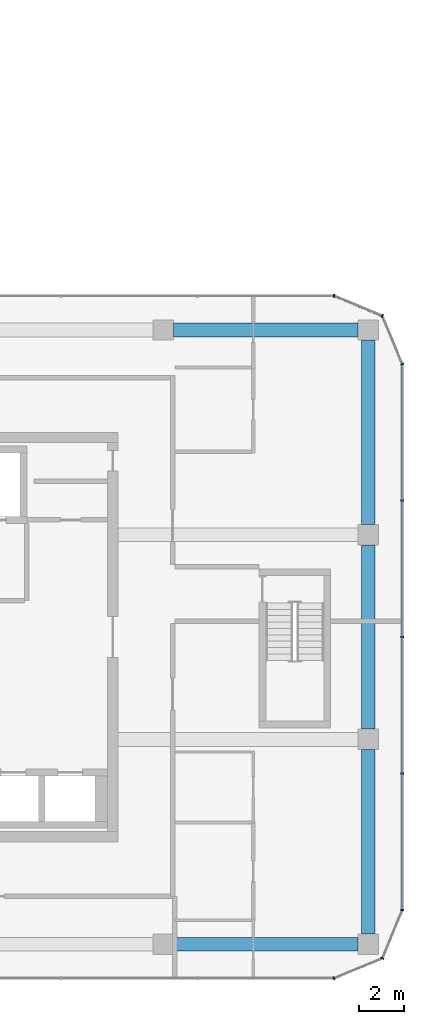
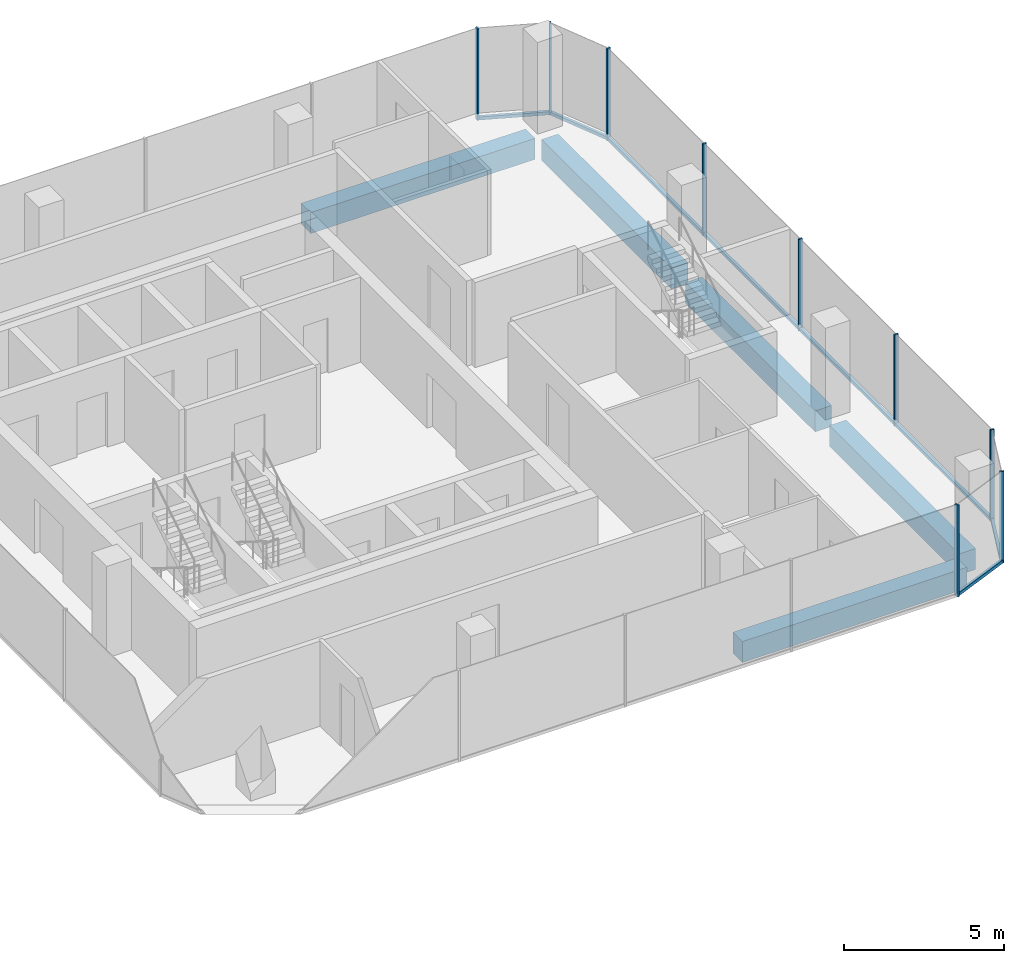
# One storey, part 10 of 23: 14 members, 5 beams, 6 elements without a shape of their own.
"""IFC4 building model written with IfcOpenShell, lengths in metres."""

from ifc_helpers import new_model, si_unit, direction, frame, origin, origin_2d, place, context, subcontext, project, spatial, rectangle, extrude, material, layer, layer_set, material_profile, profile_set, type_object, element, aggregate, save


model = new_model("IFC4")

# Units and contexts
model_context = context("Model", 3, precision=1e-05, world=origin(), true_north=direction((0.0, 1.0)))
body_context = subcontext(model_context, "Body", "Model", "MODEL_VIEW")
ifc_project = project(units=[si_unit("LENGTHUNIT", "METRE"), si_unit("AREAUNIT", "SQUARE_METRE"), si_unit("VOLUMEUNIT", "CUBIC_METRE"), si_unit("PLANEANGLEUNIT", "RADIAN"), si_unit("MASSUNIT", "GRAM", prefix="KILO")], contexts=[model_context])

# Site, building, storey
site_placement = place(None, origin())
site = spatial("IfcSite", under=ifc_project, at=site_placement, CompositionType="ELEMENT")
building_placement = place(site_placement, origin())
building = spatial("IfcBuilding", under=site, at=building_placement, Name="Plateau Cross Towers", CompositionType="ELEMENT")
storey_placement = place(building_placement, frame((0.0, 0.0, 85.300048828125)))
storey = spatial("IfcBuildingStorey", under=building, at=storey_placement, Name="L21", CompositionType="ELEMENT", Elevation=85.300048828125)

# Curtain wall, member
ifc_material_1 = material(Name="Dark low-iron glass", Category="glass")
ifc_layer = layer(ifc_material_1, 0.239990234375)
ifc_layer_set = layer_set([ifc_layer], Name="Dark low-iron glass")
curtain_wall_type = type_object("IfcCurtainWallType", Name="Curtain wall office unitised CW-F", PredefinedType="NOTDEFINED", material=ifc_layer_set)
curtain_wall_1_placement = place(storey_placement, origin())
curtain_wall_1 = element("IfcCurtainWall", 1, at=curtain_wall_1_placement, inside=storey, type_object=curtain_wall_type, Name="ENV/B/L21/B990_-60", PredefinedType="NOTDEFINED")
ifc_material_2 = material(Name="Black anodised aluminium", Category="aluminium")
ifc_material_profile_1 = material_profile(ifc_material_2, rectangle(XDim=0.06005859375, YDim=0.139892578125, at=origin_2d()), Name="MULLION 60x140")
ifc_profile_set_1 = profile_set([ifc_material_profile_1], Name="Black anodised aluminium")
member_type_1 = type_object("IfcMemberType", Name="Mullion 60x140 office unitised", PredefinedType="MULLION", material=ifc_profile_set_1)
member_1_placement = place(storey_placement, frame((99.0, -6.0, -0.25), z_axis=(0.0, 0.0, 1.0), x_axis=(0.923879457699, 0.382683612978, 0.0)))
member_1 = element("IfcMember", 2, at=member_1_placement, type_object=member_type_1, Name="CW-F mullion 1", PredefinedType="MULLION", context=body_context, shape_type="SweptSolid", body=[
    extrude(rectangle(XDim=0.06005859375, YDim=0.139892578125, at=origin_2d()), origin(), (0.0, 0.0, 1.0), 3.5),
])

curtain_wall_2_placement = place(storey_placement, origin())
curtain_wall_2 = element("IfcCurtainWall", 3, at=curtain_wall_2_placement, inside=storey, type_object=curtain_wall_type, Name="ENV/B/L21/B1011_-51", PredefinedType="NOTDEFINED")
member_2_placement = place(storey_placement, frame((101.121337890625, -5.121337890625, -0.25), z_axis=(0.0, 0.0, 1.0), x_axis=(0.382683612978, 0.923879457699, 0.0)))
member_2 = element("IfcMember", 4, at=member_2_placement, type_object=member_type_1, Name="CW-F mullion 1", PredefinedType="MULLION", context=body_context, shape_type="SweptSolid", body=[
    extrude(rectangle(XDim=0.06005859375, YDim=0.139892578125, at=origin_2d()), origin(), (0.0, 0.0, 1.0), 3.5),
])

# Curtain wall, members
curtain_wall_3_placement = place(storey_placement, origin())
curtain_wall_3 = element("IfcCurtainWall", 5, at=curtain_wall_3_placement, inside=storey, type_object=curtain_wall_type, Name="ENV/B/L21/B1020_-30", PredefinedType="NOTDEFINED")
member_3_placement = place(storey_placement, frame((102.0, -3.0, -0.25), z_axis=(0.0, 0.0, 1.0), x_axis=(0.0, 1.0, 0.0)))
member_3 = element("IfcMember", 6, at=member_3_placement, type_object=member_type_1, Name="CW-F mullion 1", PredefinedType="MULLION", context=body_context, shape_type="SweptSolid", body=[
    extrude(rectangle(XDim=0.06005859375, YDim=0.139892578125, at=origin_2d()), origin(), (0.0, 0.0, 1.0), 3.5),
])
member_4_placement = place(storey_placement, frame((102.0, 3.0, -0.25), z_axis=(0.0, 0.0, 1.0), x_axis=(0.0, 1.0, 0.0)))
member_4 = element("IfcMember", 7, at=member_4_placement, type_object=member_type_1, Name="CW-F mullion 2", PredefinedType="MULLION", context=body_context, shape_type="SweptSolid", body=[
    extrude(rectangle(XDim=0.06005859375, YDim=0.139892578125, at=origin_2d()), origin(), (0.0, 0.0, 1.0), 3.5),
])
member_5_placement = place(storey_placement, frame((102.0, 9.0, -0.25), z_axis=(0.0, 0.0, 1.0), x_axis=(0.0, 1.0, 0.0)))
member_5 = element("IfcMember", 8, at=member_5_placement, type_object=member_type_1, Name="CW-F mullion 3", PredefinedType="MULLION", context=body_context, shape_type="SweptSolid", body=[
    extrude(rectangle(XDim=0.06005859375, YDim=0.139892578125, at=origin_2d()), origin(), (0.0, 0.0, 1.0), 3.5),
])
member_6_placement = place(storey_placement, frame((102.0, 15.0, -0.25), z_axis=(0.0, 0.0, 1.0), x_axis=(0.0, 1.0, 0.0)))
member_6 = element("IfcMember", 9, at=member_6_placement, type_object=member_type_1, Name="CW-F mullion 4", PredefinedType="MULLION", context=body_context, shape_type="SweptSolid", body=[
    extrude(rectangle(XDim=0.06005859375, YDim=0.139892578125, at=origin_2d()), origin(), (0.0, 0.0, 1.0), 3.5),
])

# Curtain wall, member
curtain_wall_4_placement = place(storey_placement, origin())
curtain_wall_4 = element("IfcCurtainWall", 10, at=curtain_wall_4_placement, inside=storey, type_object=curtain_wall_type, Name="ENV/B/L21/B1020_210", PredefinedType="NOTDEFINED")
member_7_placement = place(storey_placement, frame((102.0, 21.0, -0.25), z_axis=(0.0, 0.0, 1.0), x_axis=(-0.382683612978, 0.923879457699, 0.0)))
member_7 = element("IfcMember", 11, at=member_7_placement, type_object=member_type_1, Name="CW-F mullion 1", PredefinedType="MULLION", context=body_context, shape_type="SweptSolid", body=[
    extrude(rectangle(XDim=0.06005859375, YDim=0.139892578125, at=origin_2d()), origin(), (0.0, 0.0, 1.0), 3.5),
])

curtain_wall_5_placement = place(storey_placement, origin())
curtain_wall_5 = element("IfcCurtainWall", 12, at=curtain_wall_5_placement, inside=storey, type_object=curtain_wall_type, Name="ENV/B/L21/B1011_231", PredefinedType="NOTDEFINED")
member_8_placement = place(storey_placement, frame((101.121337890625, 23.121337890625, -0.25), z_axis=(0.0, 0.0, 1.0), x_axis=(-0.923879457699, 0.382683612978, 0.0)))
member_8 = element("IfcMember", 13, at=member_8_placement, type_object=member_type_1, Name="CW-F mullion 1", PredefinedType="MULLION", context=body_context, shape_type="SweptSolid", body=[
    extrude(rectangle(XDim=0.06005859375, YDim=0.139892578125, at=origin_2d()), origin(), (0.0, 0.0, 1.0), 3.5),
])

curtain_wall_6_placement = place(storey_placement, origin())
curtain_wall_6 = element("IfcCurtainWall", 14, at=curtain_wall_6_placement, inside=storey, type_object=curtain_wall_type, Name="ENV/B/L21/B990_240", PredefinedType="NOTDEFINED")
member_9_placement = place(storey_placement, frame((99.0, 24.0, -0.25), z_axis=(0.0, 0.0, 1.0), x_axis=(-1.0, 0.0, 0.0)))
member_9 = element("IfcMember", 15, at=member_9_placement, type_object=member_type_1, Name="CW-F mullion 1", PredefinedType="MULLION", context=body_context, shape_type="SweptSolid", body=[
    extrude(rectangle(XDim=0.06005859375, YDim=0.139892578125, at=origin_2d()), origin(), (0.0, 0.0, 1.0), 3.5),
])
aggregate(curtain_wall_6, [member_9])

# Beams
ifc_material_3 = material(Name="Concrete C60/75", Category="concrete")
ifc_material_profile_2 = material_profile(ifc_material_3, rectangle(XDim=0.60009765625, YDim=0.800048828125, at=origin_2d()), Name="RC 600x800")
ifc_profile_set_2 = profile_set([ifc_material_profile_2], Name="Concrete C60/75")
beam_type = type_object("IfcBeamType", Name="Ring beam RC 600x800", PredefinedType="BEAM", material=ifc_profile_set_2)
for number, where, z_axis, x_axis, name in (
    (16, (91.949951171875, -4.5, -0.650146484375), (1.0, 0.0, 0.0), (0.0, 1.0, 0.0), "B-RB02@L21"),
    (17, (100.5, -4.050048828125, -0.650146484375), (0.0, 1.0, 0.0), (-1.0, 0.0, 0.0), "B-RB03@L21"),
    (18, (100.5, 4.949951171875, -0.650146484375), (0.0, 1.0, 0.0), (-1.0, 0.0, 0.0), "B-RB04@L21"),
    (19, (100.5, 13.949951171875, -0.650146484375), (0.0, 1.0, 0.0), (-1.0, 0.0, 0.0), "B-RB05@L21"),
    (20, (100.050048828125, 22.5, -0.650146484375), (-1.0, 0.0, 0.0), (0.0, -1.0, 0.0), "B-RB06@L21"),
):
    element("IfcBeam", number, at=place(storey_placement, frame(where, z_axis=z_axis, x_axis=x_axis)), inside=storey, type_object=beam_type, Name=name, PredefinedType="BEAM", context=body_context, shape_type="SweptSolid", body=[
        extrude(rectangle(XDim=0.60009765625, YDim=0.800048828125, at=origin_2d()), origin(), (0.0, 0.0, 1.0), 8.10009765625),
    ])

# Member
ifc_material_profile_3 = material_profile(ifc_material_2, rectangle(XDim=0.10009765625, YDim=0.1201171875, at=origin_2d()), Name="TRANSOM 100x120")
ifc_profile_set_3 = profile_set([ifc_material_profile_3], Name="Black anodised aluminium")
member_type_2 = type_object("IfcMemberType", Name="Transom 100x120 office unitised", PredefinedType="USERDEFINED", material=ifc_profile_set_3)
member_10_placement = place(storey_placement, frame((99.0, -6.0, -0.18994140625), z_axis=(0.923883353507, 0.382674207535, 0.0), x_axis=(-0.382674207535, 0.923883353507, 0.0)))
member_10 = element("IfcMember", 21, at=member_10_placement, type_object=member_type_2, Name="CW-F transom", ObjectType="TRANSOM", PredefinedType="USERDEFINED", context=body_context, shape_type="SweptSolid", body=[
    extrude(rectangle(XDim=0.10009765625, YDim=0.1201171875, at=origin_2d()), origin(), (0.0, 0.0, 1.0), 2.296142578125),
])

aggregate(curtain_wall_1, [member_1, member_10])

member_11_placement = place(storey_placement, frame((101.121337890625, -5.121337890625, -0.18994140625), z_axis=(0.382674207535, 0.923883353507, 0.0), x_axis=(-0.923883353507, 0.382674207535, 0.0)))
member_11 = element("IfcMember", 22, at=member_11_placement, type_object=member_type_2, Name="CW-F transom", ObjectType="TRANSOM", PredefinedType="USERDEFINED", context=body_context, shape_type="SweptSolid", body=[
    extrude(rectangle(XDim=0.10009765625, YDim=0.1201171875, at=origin_2d()), origin(), (0.0, 0.0, 1.0), 2.296142578125),
])

aggregate(curtain_wall_2, [member_2, member_11])

member_12_placement = place(storey_placement, frame((102.0, -3.0, -0.18994140625), z_axis=(0.0, 1.0, 0.0), x_axis=(-1.0, 0.0, 0.0)))
member_12 = element("IfcMember", 23, at=member_12_placement, type_object=member_type_2, Name="CW-F transom", ObjectType="TRANSOM", PredefinedType="USERDEFINED", context=body_context, shape_type="SweptSolid", body=[
    extrude(rectangle(XDim=0.10009765625, YDim=0.1201171875, at=origin_2d()), origin(), (0.0, 0.0, 1.0), 24.0),
])

aggregate(curtain_wall_3, [member_3, member_4, member_5, member_6, member_12])

member_13_placement = place(storey_placement, frame((102.0, 21.0, -0.18994140625), z_axis=(-0.382674207535, 0.923883353507, 0.0), x_axis=(-0.923883353507, -0.382674207535, 0.0)))
member_13 = element("IfcMember", 24, at=member_13_placement, type_object=member_type_2, Name="CW-F transom", ObjectType="TRANSOM", PredefinedType="USERDEFINED", context=body_context, shape_type="SweptSolid", body=[
    extrude(rectangle(XDim=0.10009765625, YDim=0.1201171875, at=origin_2d()), origin(), (0.0, 0.0, 1.0), 2.296142578125),
])

aggregate(curtain_wall_4, [member_7, member_13])

member_14_placement = place(storey_placement, frame((101.121337890625, 23.121337890625, -0.18994140625), z_axis=(-0.923883353507, 0.382674207535, 0.0), x_axis=(-0.382674207535, -0.923883353507, 0.0)))
member_14 = element("IfcMember", 25, at=member_14_placement, type_object=member_type_2, Name="CW-F transom", ObjectType="TRANSOM", PredefinedType="USERDEFINED", context=body_context, shape_type="SweptSolid", body=[
    extrude(rectangle(XDim=0.10009765625, YDim=0.1201171875, at=origin_2d()), origin(), (0.0, 0.0, 1.0), 2.296142578125),
])

aggregate(curtain_wall_5, [member_8, member_14])

save(model, "model.ifc")
